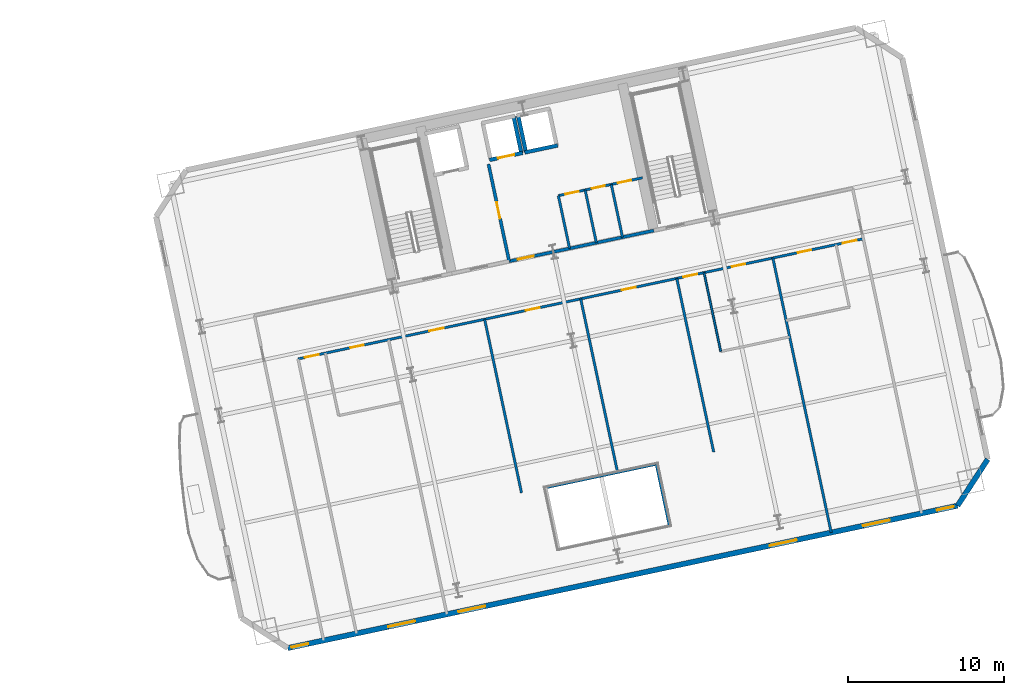
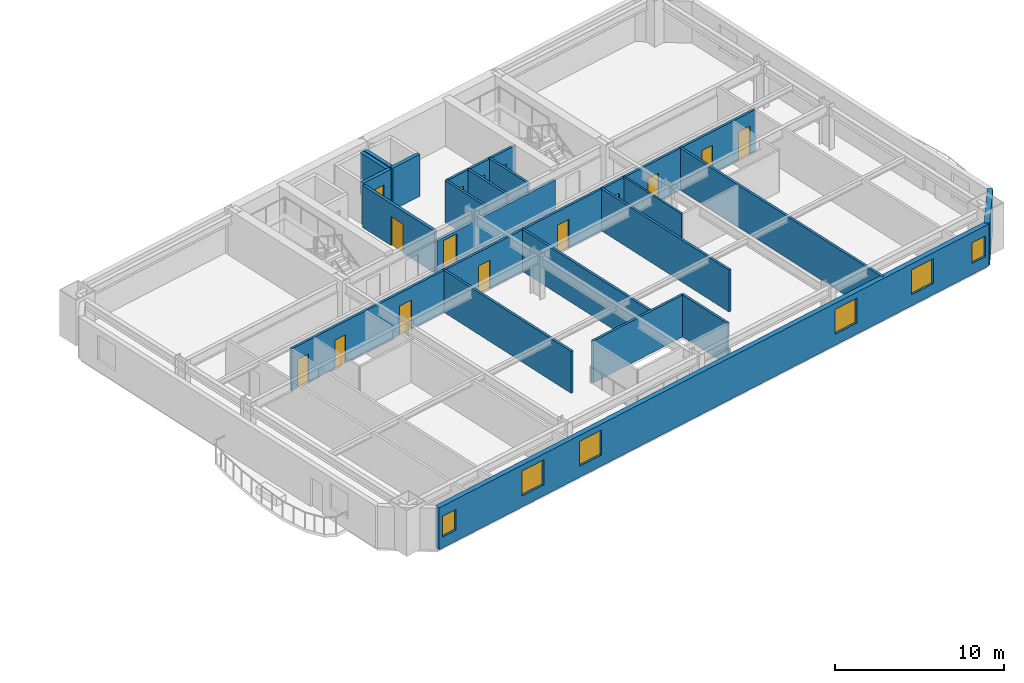
# One storey, part 8 of 16: 20 walls, 15 doors, 6 windows, 21 openings.
"""IFC4 building model written with IfcOpenShell, lengths in metres."""

import ifcopenshell
import ifcopenshell.guid

model = None  # the IFC model being written
_history = None  # IfcOwnerHistory: only IFC2X3 demands one
_inside = {}  # id of a spatial element -> (the spatial element, [elements in it])
_under = {}  # id of a project, library or spatial element -> (it, [spatial elements below it])
_declared = {}  # id of a project -> (the project, [libraries it declares])
_typed = {}  # id of a type object -> (the type object, [elements of that type])
_made_of = {}  # id of a material, layer set ... -> (it, [elements and type objects made of it])


def new_model(schema):
    """Start an empty IFC model of exactly this schema.

    Asked for "IFC4X3", IfcOpenShell would pick the latest addendum, in which some entities
    have other attributes; the version numbers below select the first issue.
    IFC2X3 requires an IfcOwnerHistory on every rooted entity: one is made here for all.
    """
    global model, _history
    if schema == "IFC4X3":
        model = ifcopenshell.file(schema_version=(4, 3, 0, 0))
    else:
        model = ifcopenshell.file(schema=schema)
    _inside.clear()
    _under.clear()
    _declared.clear()
    _typed.clear()
    _made_of.clear()
    _history = None
    if model.schema == "IFC2X3":
        org = make("IfcOrganization", Name="unknown")
        user = make(
            "IfcPersonAndOrganization",
            ThePerson=make("IfcPerson", FamilyName="unknown"),
            TheOrganization=org,
        )
        app = make(
            "IfcApplication",
            ApplicationDeveloper=org,
            Version="unknown",
            ApplicationFullName="unknown",
            ApplicationIdentifier="unknown",
        )
        _history = make(
            "IfcOwnerHistory",
            OwningUser=user,
            OwningApplication=app,
            ChangeAction="ADDED",
            CreationDate=0,
        )
    return model


def make(cls, **values):
    """One entity of the class cls with the attributes given. An attribute that is None is left unset."""
    return model.create_entity(
        cls, **{name: value for name, value in values.items() if value is not None}
    )


def rooted(cls, **values):
    """An entity with a GlobalId (a new one), such as an element, a storey or a relation."""
    return make(cls, GlobalId=ifcopenshell.guid.new(), OwnerHistory=_history, **values)


def si_unit(unit_type, name, prefix=None):
    """IfcSIUnit, for example si_unit("LENGTHUNIT", "METRE", prefix="MILLI")."""
    return make("IfcSIUnit", UnitType=unit_type, Prefix=prefix, Name=name)


def assignment(units):
    """IfcUnitAssignment: the units of a project."""
    return None if units is None else make("IfcUnitAssignment", Units=units)


def point(xyz):
    """IfcCartesianPoint."""
    return None if xyz is None else make("IfcCartesianPoint", Coordinates=xyz)


def direction(xyz):
    """IfcDirection."""
    return None if xyz is None else make("IfcDirection", DirectionRatios=xyz)


def frame(location, z_axis=None, x_axis=None):
    """IfcAxis2Placement3D, a coordinate frame: its origin and axes. An axis left out is left unset."""
    return make(
        "IfcAxis2Placement3D",
        Location=point(location),
        Axis=direction(z_axis),
        RefDirection=direction(x_axis),
    )


def frame_2d(location, x_axis=None):
    """IfcAxis2Placement2D, a coordinate frame in the plane: its origin and x axis."""
    return make(
        "IfcAxis2Placement2D", Location=point(location), RefDirection=direction(x_axis)
    )


def origin():
    """The frame at (0, 0, 0) with its axes left unset."""
    return frame((0.0, 0.0, 0.0))


def place(relative_to, where):
    """IfcLocalPlacement: puts the frame where relative to a parent placement (None: the world)."""
    return make(
        "IfcLocalPlacement", PlacementRelTo=relative_to, RelativePlacement=where
    )


def context(
    kind, dimensions, precision=None, world=None, true_north=None, identifier=None
):
    """IfcGeometricRepresentationContext, for example the 3D "Model" context."""
    return make(
        "IfcGeometricRepresentationContext",
        ContextIdentifier=identifier,
        ContextType=kind,
        CoordinateSpaceDimension=dimensions,
        Precision=precision,
        WorldCoordinateSystem=world,
        TrueNorth=true_north,
    )


def subcontext(parent, identifier, kind, view, scale=None):
    """IfcGeometricRepresentationSubContext, for example "Body" below "Model"."""
    return make(
        "IfcGeometricRepresentationSubContext",
        ContextIdentifier=identifier,
        ContextType=kind,
        ParentContext=parent,
        TargetScale=scale,
        TargetView=view,
    )


def project(units=None, contexts=None):
    """IfcProject with its units and contexts."""
    return rooted(
        "IfcProject",
        Name="project",
        RepresentationContexts=contexts,
        UnitsInContext=assignment(units),
    )


def spatial(cls, under=None, at=None, **own):
    """A site, building, storey or space (cls), placed at a placement, below another one or the project."""
    s = rooted(cls, ObjectPlacement=at, **own)
    if under is not None:
        _under.setdefault(under.id(), (under, []))[1].append(s)
    return s


def profile(cls, at=None, kind="AREA", **sizes):
    """A parametric profile (cls). Its sizes go by their IFC names, for example OverallWidth=200.0."""
    return make(cls, ProfileType=kind, Position=at, **sizes)


def rectangle(**sizes):
    """IfcRectangleProfileDef."""
    return profile("IfcRectangleProfileDef", **sizes)


def extrude(swept, where, along, depth):
    """IfcExtrudedAreaSolid: the profile swept, set in the frame where, extruded along a direction by depth."""
    return make(
        "IfcExtrudedAreaSolid",
        SweptArea=swept,
        Position=where,
        ExtrudedDirection=direction(along),
        Depth=depth,
    )


def shape(context_of_items, identifier, shape_type, items):
    """IfcShapeRepresentation: the items that make up one representation, for example the "Body"."""
    return make(
        "IfcShapeRepresentation",
        ContextOfItems=context_of_items,
        RepresentationIdentifier=identifier,
        RepresentationType=shape_type,
        Items=items,
    )


def material(Name=None, Category=None):
    """IfcMaterial."""
    return make("IfcMaterial", Name=Name, Category=Category)


def layer(
    of_material, thickness, ventilated=None, Name=None, Category=None, Priority=None
):
    """IfcMaterialLayer: one layer of a wall or slab, of a material (None: an air gap)."""
    return make(
        "IfcMaterialLayer",
        Material=of_material,
        LayerThickness=thickness,
        IsVentilated=ventilated,
        Name=Name,
        Category=Category,
        Priority=Priority,
    )


def layer_set(layers, Name=None):
    """IfcMaterialLayerSet."""
    return make("IfcMaterialLayerSet", MaterialLayers=layers, LayerSetName=Name)


def made_of(thing, what):
    """Note that an element or type object is made of a material, layer set ...; save() writes the relation."""
    if what is not None:
        _made_of.setdefault(what.id(), (what, []))[1].append(thing)
    return thing


def type_object(cls, material=None, **own):
    """A type object (cls), such as IfcWallType, which elements share."""
    return made_of(rooted(cls, **own), material)


def element(
    cls,
    number,
    at=None,
    inside=None,
    cuts=None,
    type_object=None,
    material=None,
    context=None,
    identifier="Body",
    shape_type=None,
    held_by="IfcProductDefinitionShape",
    body=None,
    shapes=None,
    **own,
):
    """One element of the class cls, such as IfcWall. Its Tag is "e" and its number.

    at: its placement. inside: the storey or other place that contains it. cuts: it is an
    opening in that element (IfcRelVoidsElement). A single representation is given by context,
    identifier, shape_type and body (its items); several are given by shapes. held_by: the class
    of the entity that holds the representations. save() writes the other relations.
    """
    e = rooted(cls, Tag="e%d" % number, ObjectPlacement=at, **own)
    if body is not None:
        shapes = [shape(context, identifier, shape_type, body)]
    if shapes is not None:
        e.Representation = make(held_by, Representations=shapes)
    if inside is not None:
        _inside.setdefault(inside.id(), (inside, []))[1].append(e)
    if cuts is not None:
        rooted(
            "IfcRelVoidsElement", RelatingBuildingElement=cuts, RelatedOpeningElement=e
        )
    if type_object is not None:
        _typed.setdefault(type_object.id(), (type_object, []))[1].append(e)
    return made_of(e, material)


def fill(opening, filler):
    """IfcRelFillsElement: the door or window that sits in an opening."""
    return rooted(
        "IfcRelFillsElement",
        RelatingOpeningElement=opening,
        RelatedBuildingElement=filler,
    )


def aggregate(whole, parts):
    """IfcRelAggregates: a whole, such as a stair, and the parts it consists of."""
    return rooted("IfcRelAggregates", RelatingObject=whole, RelatedObjects=parts)


def save(model, path):
    """Write the relations noted so far, then the file.

    IfcRelAggregates (storeys below a building ...), IfcRelContainedInSpatialStructure (elements
    in a storey), IfcRelDefinesByType, IfcRelAssociatesMaterial and IfcRelDeclares: one each for
    every whole, place, type object, material and project.
    """
    for whole, parts in _under.values():
        aggregate(whole, parts)
    for where, things in _inside.values():
        rooted(
            "IfcRelContainedInSpatialStructure",
            RelatedElements=things,
            RelatingStructure=where,
        )
    for kind, things in _typed.values():
        rooted("IfcRelDefinesByType", RelatedObjects=things, RelatingType=kind)
    for what, things in _made_of.values():
        rooted("IfcRelAssociatesMaterial", RelatedObjects=things, RelatingMaterial=what)
    for by, libraries in _declared.values():
        rooted("IfcRelDeclares", RelatingContext=by, RelatedDefinitions=libraries)
    model.write(path)


model = new_model("IFC4")

# Units and contexts
model_context = context("Model", 3, precision=1e-05, world=origin(), true_north=direction((0.0, 1.0)))
body_context = subcontext(model_context, "Body", "Model", "MODEL_VIEW")
ifc_project = project(units=[si_unit("LENGTHUNIT", "METRE"), si_unit("AREAUNIT", "SQUARE_METRE"), si_unit("VOLUMEUNIT", "CUBIC_METRE"), si_unit("PLANEANGLEUNIT", "RADIAN"), si_unit("MASSUNIT", "GRAM", prefix="KILO")], contexts=[model_context])

# Site, building, storey
site_placement = place(None, origin())
site = spatial("IfcSite", under=ifc_project, at=site_placement, CompositionType="ELEMENT")
building_placement = place(site_placement, origin())
building = spatial("IfcBuilding", under=site, at=building_placement, Name="Haevon Station Towers", CompositionType="ELEMENT")
storey_placement = place(building_placement, frame((0.0, 0.0, 57.0)))
storey = spatial("IfcBuildingStorey", under=building, at=storey_placement, Name="L14", CompositionType="ELEMENT", Elevation=57.0)

# Wall, opening, door
ifc_material_1 = material(Name="Gypsum board on steel stud", Category="steel")
ifc_layer_1 = layer(ifc_material_1, 0.199951171875)
ifc_layer_set_1 = layer_set([ifc_layer_1], Name="Gypsum board on steel stud")
wall_type_1 = type_object("IfcWallType", Name="WL-COR200", PredefinedType="PARTITIONING", material=ifc_layer_set_1)
wall_1_placement = place(storey_placement, frame((106.186279296875, 39.0224609375, 0.0), z_axis=(0.0, 0.0, 1.0), x_axis=(-0.207916691923, 0.978146537703, 0.0)))
wall_1 = element("IfcWall", 1, at=wall_1_placement, inside=storey, type_object=wall_type_1, Name="WL-T2FFL-L14-E", PredefinedType="PARTITIONING", context=body_context, shape_type="SweptSolid", body=[
    extrude(rectangle(XDim=6.35009765625, YDim=0.199951171875, at=frame_2d((3.175048828125, 0.0))), origin(), (0.0, 0.0, 1.0), 3.030029296875),
])
opening_1_placement = place(wall_1_placement, frame((2.800048828125, 0.0, 0.0)))
opening_1 = element("IfcOpeningElement", 2, at=opening_1_placement, cuts=wall_1, Name="Opening DR-T2FFL-L14-E", PredefinedType="OPENING", context=body_context, shape_type="SweptSolid", body=[
    extrude(rectangle(XDim=1.050048828125, YDim=2.10009765625, at=frame_2d((0.52490234375, 1.050048828125))), frame((0.0, 0.10986328125, 0.0), z_axis=(0.0, -1.0, 0.0), x_axis=(1.0, 0.0, 0.0)), (0.0, 0.0, 1.0), 0.219970703125),
])
ifc_material_2 = material(Name="Engineered oak timber", Category="wood")
door_type_1 = type_object("IfcDoorType", Name="DR-FD60-1050", OperationType="NOTDEFINED", PredefinedType="DOOR", material=ifc_material_2)
door_1_placement = place(opening_1_placement, origin())
door_1 = element("IfcDoor", 3, at=door_1_placement, inside=storey, type_object=door_type_1, Name="L14 Tower 2 Firefighting Lift Lobby Door E", OperationType="SINGLE_SWING_LEFT", OverallHeight=2.10009765625, OverallWidth=1.050048828125, PredefinedType="DOOR", context=body_context, shape_type="SweptSolid", body=[
    extrude(rectangle(XDim=1.050048828125, YDim=2.10009765625, at=frame_2d((0.52490234375, 1.050048828125))), frame((0.0, 0.02490234375, 0.0), z_axis=(0.0, -1.0, 0.0), x_axis=(1.0, 0.0, 0.0)), (0.0, 0.0, 1.0), 0.050048828125),
])
fill(opening_1, door_1)

wall_2_placement = place(storey_placement, frame((106.186279296875, 39.0224609375, 0.0), z_axis=(0.0, 0.0, 1.0), x_axis=(0.978145519981, 0.20792147975, 0.0)))
wall_2 = element("IfcWall", 4, at=wall_2_placement, inside=storey, type_object=wall_type_1, Name="WL-T2CLB-L14", PredefinedType="PARTITIONING", context=body_context, shape_type="SweptSolid", body=[
    extrude(rectangle(XDim=9.449951171875, YDim=0.199951171875, at=frame_2d((4.72509765625, 0.0))), origin(), (0.0, 0.0, 1.0), 2.330078125),
])
opening_2_placement = place(wall_2_placement, frame((0.550048828125, 0.0, 0.0)))
opening_2 = element("IfcOpeningElement", 5, at=opening_2_placement, cuts=wall_2, Name="Opening DR-T2CLB-L14-1", PredefinedType="OPENING", context=body_context, shape_type="SweptSolid", body=[
    extrude(rectangle(XDim=1.050048828125, YDim=2.10009765625, at=frame_2d((0.52490234375, 1.050048828125))), frame((0.0, 0.10986328125, 0.0), z_axis=(0.0, -1.0, 0.0), x_axis=(1.0, 0.0, 0.0)), (0.0, 0.0, 1.0), 0.219970703125),
])
door_2_placement = place(opening_2_placement, origin())
door_2 = element("IfcDoor", 6, at=door_2_placement, inside=storey, type_object=door_type_1, Name="L14 Tower 2 Core Lift Lobby Door 1", OperationType="SINGLE_SWING_LEFT", OverallHeight=2.10009765625, OverallWidth=1.050048828125, PredefinedType="DOOR", context=body_context, shape_type="SweptSolid", body=[
    extrude(rectangle(XDim=1.050048828125, YDim=2.10009765625, at=frame_2d((0.52490234375, 1.050048828125))), frame((0.0, 0.02490234375, 0.0), z_axis=(0.0, -1.0, 0.0), x_axis=(1.0, 0.0, 0.0)), (0.0, 0.0, 1.0), 0.050048828125),
])
fill(opening_2, door_2)

# Wall, openings, windows
ifc_material_3 = material(Name="Precast concrete C45/55", Category="concrete")
ifc_layer_2 = layer(ifc_material_3, 0.340087890625)
ifc_layer_set_2 = layer_set([ifc_layer_2], Name="Precast concrete C45/55")
wall_type_2 = type_object("IfcWallType", Name="WL-EXT-PIER340", PredefinedType="SOLIDWALL", material=ifc_layer_set_2)
wall_3_placement = place(storey_placement, frame((134.862548828125, 23.39306640625, 0.0), z_axis=(0.0, 0.0, 1.0), x_axis=(-0.978148154167, -0.207909087104, 0.0)))
wall_3 = element("IfcWall", 7, at=wall_3_placement, inside=storey, type_object=wall_type_2, Name="WL-T2-L14-S", PredefinedType="SOLIDWALL", context=body_context, shape_type="SweptSolid", body=[
    extrude(rectangle(XDim=43.800048828125, YDim=0.340087890625, at=frame_2d((21.89990234375, 0.0))), origin(), (0.0, 0.0, 1.0), 3.030029296875),
])
opening_3_placement = place(wall_3_placement, frame((42.449951171875, 0.0, 0.800048828125)))
opening_3 = element("IfcOpeningElement", 8, at=opening_3_placement, cuts=wall_3, Name="Opening WN-COR110", PredefinedType="OPENING", context=body_context, shape_type="SweptSolid", body=[
    extrude(rectangle(XDim=1.10009765625, YDim=1.5, at=frame_2d((0.550048828125, 0.75))), frame((0.0, 0.179931640625, 0.0), z_axis=(0.0, -1.0, 0.0), x_axis=(1.0, 0.0, 0.0)), (0.0, 0.0, 1.0), 0.360107421875),
])
opening_4_placement = place(wall_3_placement, frame((0.25, 0.0, 0.800048828125)))
opening_4 = element("IfcOpeningElement", 9, at=opening_4_placement, cuts=wall_3, Name="Opening WN-COR110", PredefinedType="OPENING", context=body_context, shape_type="SweptSolid", body=[
    extrude(rectangle(XDim=1.10009765625, YDim=1.5, at=frame_2d((0.550048828125, 0.75))), frame((0.0, 0.179931640625, 0.0), z_axis=(0.0, -1.0, 0.0), x_axis=(1.0, 0.0, 0.0)), (0.0, 0.0, 1.0), 0.360107421875),
])
opening_5_placement = place(wall_3_placement, frame((35.468994140625, 0.0, 0.800048828125)))
opening_5 = element("IfcOpeningElement", 10, at=opening_5_placement, cuts=wall_3, Name="Opening WN-P175", PredefinedType="OPENING", context=body_context, shape_type="SweptSolid", body=[
    extrude(rectangle(XDim=1.75, YDim=1.800048828125, at=frame_2d((0.875, 0.89990234375))), frame((0.0, 0.179931640625, 0.0), z_axis=(0.0, -1.0, 0.0), x_axis=(1.0, 0.0, 0.0)), (0.0, 0.0, 1.0), 0.360107421875),
])
opening_6_placement = place(wall_3_placement, frame((30.880859375, 0.0, 0.800048828125)))
opening_6 = element("IfcOpeningElement", 11, at=opening_6_placement, cuts=wall_3, Name="Opening WN-P175", PredefinedType="OPENING", context=body_context, shape_type="SweptSolid", body=[
    extrude(rectangle(XDim=1.75, YDim=1.800048828125, at=frame_2d((0.875, 0.89990234375))), frame((0.0, 0.179931640625, 0.0), z_axis=(0.0, -1.0, 0.0), x_axis=(1.0, 0.0, 0.0)), (0.0, 0.0, 1.0), 0.360107421875),
])
opening_7_placement = place(wall_3_placement, frame((10.52783203125, 0.0, 0.800048828125)))
opening_7 = element("IfcOpeningElement", 12, at=opening_7_placement, cuts=wall_3, Name="Opening WN-P175", PredefinedType="OPENING", context=body_context, shape_type="SweptSolid", body=[
    extrude(rectangle(XDim=1.75, YDim=1.800048828125, at=frame_2d((0.875, 0.89990234375))), frame((0.0, 0.179931640625, 0.0), z_axis=(0.0, -1.0, 0.0), x_axis=(1.0, 0.0, 0.0)), (0.0, 0.0, 1.0), 0.360107421875),
])
opening_8_placement = place(wall_3_placement, frame((4.430908203125, 0.0, 0.800048828125)))
opening_8 = element("IfcOpeningElement", 13, at=opening_8_placement, cuts=wall_3, Name="Opening WN-P175", PredefinedType="OPENING", context=body_context, shape_type="SweptSolid", body=[
    extrude(rectangle(XDim=1.75, YDim=1.800048828125, at=frame_2d((0.875, 0.89990234375))), frame((0.0, 0.179931640625, 0.0), z_axis=(0.0, -1.0, 0.0), x_axis=(1.0, 0.0, 0.0)), (0.0, 0.0, 1.0), 0.360107421875),
])
ifc_material_4 = material(Name="Low-E triple glazing in thermally broken aluminium", Category="aluminium")
window_type_1 = type_object("IfcWindowType", Name="WN-COR110", PartitioningType="SINGLE_PANEL", PredefinedType="WINDOW", material=ifc_material_4)
window_1_placement = place(opening_3_placement, origin())
window_1 = element("IfcWindow", 14, at=window_1_placement, inside=storey, type_object=window_type_1, Name="WN-T2-L14-S01", OverallHeight=1.5, OverallWidth=1.10009765625, PartitioningType="SINGLE_PANEL", PredefinedType="WINDOW", context=body_context, shape_type="SweptSolid", body=[
    extrude(rectangle(XDim=1.10009765625, YDim=1.5, at=frame_2d((0.550048828125, 0.75))), frame((0.0, 0.030029296875, 0.0), z_axis=(0.0, -1.0, 0.0), x_axis=(1.0, 0.0, 0.0)), (0.0, 0.0, 1.0), 0.06005859375),
])
fill(opening_3, window_1)
window_2_placement = place(opening_4_placement, origin())
window_2 = element("IfcWindow", 15, at=window_2_placement, inside=storey, type_object=window_type_1, Name="WN-T2-L14-S02", OverallHeight=1.5, OverallWidth=1.10009765625, PartitioningType="SINGLE_PANEL", PredefinedType="WINDOW", context=body_context, shape_type="SweptSolid", body=[
    extrude(rectangle(XDim=1.10009765625, YDim=1.5, at=frame_2d((0.550048828125, 0.75))), frame((0.0, 0.030029296875, 0.0), z_axis=(0.0, -1.0, 0.0), x_axis=(1.0, 0.0, 0.0)), (0.0, 0.0, 1.0), 0.06005859375),
])
fill(opening_4, window_2)
window_type_2 = type_object("IfcWindowType", Name="WN-P175", PartitioningType="SINGLE_PANEL", PredefinedType="WINDOW", material=ifc_material_4)
window_3_placement = place(opening_5_placement, origin())
window_3 = element("IfcWindow", 16, at=window_3_placement, inside=storey, type_object=window_type_2, Name="WN-T2-L14-S03", OverallHeight=1.800048828125, OverallWidth=1.75, PartitioningType="SINGLE_PANEL", PredefinedType="WINDOW", context=body_context, shape_type="SweptSolid", body=[
    extrude(rectangle(XDim=1.75, YDim=1.800048828125, at=frame_2d((0.875, 0.89990234375))), frame((0.0, 0.030029296875, 0.0), z_axis=(0.0, -1.0, 0.0), x_axis=(1.0, 0.0, 0.0)), (0.0, 0.0, 1.0), 0.06005859375),
])
fill(opening_5, window_3)
window_4_placement = place(opening_6_placement, origin())
window_4 = element("IfcWindow", 17, at=window_4_placement, inside=storey, type_object=window_type_2, Name="WN-T2-L14-S04", OverallHeight=1.800048828125, OverallWidth=1.75, PartitioningType="SINGLE_PANEL", PredefinedType="WINDOW", context=body_context, shape_type="SweptSolid", body=[
    extrude(rectangle(XDim=1.75, YDim=1.800048828125, at=frame_2d((0.875, 0.89990234375))), frame((0.0, 0.030029296875, 0.0), z_axis=(0.0, -1.0, 0.0), x_axis=(1.0, 0.0, 0.0)), (0.0, 0.0, 1.0), 0.06005859375),
])
fill(opening_6, window_4)
window_5_placement = place(opening_7_placement, origin())
window_5 = element("IfcWindow", 18, at=window_5_placement, inside=storey, type_object=window_type_2, Name="WN-T2-L14-S05", OverallHeight=1.800048828125, OverallWidth=1.75, PartitioningType="SINGLE_PANEL", PredefinedType="WINDOW", context=body_context, shape_type="SweptSolid", body=[
    extrude(rectangle(XDim=1.75, YDim=1.800048828125, at=frame_2d((0.875, 0.89990234375))), frame((0.0, 0.030029296875, 0.0), z_axis=(0.0, -1.0, 0.0), x_axis=(1.0, 0.0, 0.0)), (0.0, 0.0, 1.0), 0.06005859375),
])
fill(opening_7, window_5)
window_6_placement = place(opening_8_placement, origin())
window_6 = element("IfcWindow", 19, at=window_6_placement, inside=storey, type_object=window_type_2, Name="WN-T2-L14-S06", OverallHeight=1.800048828125, OverallWidth=1.75, PartitioningType="SINGLE_PANEL", PredefinedType="WINDOW", context=body_context, shape_type="SweptSolid", body=[
    extrude(rectangle(XDim=1.75, YDim=1.800048828125, at=frame_2d((0.875, 0.89990234375))), frame((0.0, 0.030029296875, 0.0), z_axis=(0.0, -1.0, 0.0), x_axis=(1.0, 0.0, 0.0)), (0.0, 0.0, 1.0), 0.06005859375),
])
fill(opening_8, window_6)

# Walls
wall_4_placement = place(storey_placement, frame((136.7880859375, 26.358154296875, 0.0), z_axis=(0.0, 0.0, 1.0), x_axis=(-0.544636352948, -0.838672309694, 0.0)))
element("IfcWall", 20, at=wall_4_placement, inside=storey, type_object=wall_type_2, Name="WL-T2-L14-SEC", PredefinedType="SOLIDWALL", context=body_context, shape_type="SweptSolid", body=[
    extrude(rectangle(XDim=3.535400390625, YDim=0.340087890625, at=frame_2d((1.767578125, 0.0))), origin(), (0.0, 0.0, 1.0), 3.030029296875),
])
ifc_layer_3 = layer(ifc_material_1, 0.125)
ifc_layer_set_3 = layer_set([ifc_layer_3], Name="Gypsum board on steel stud")
wall_type_3 = type_object("IfcWallType", Name="WL-PRT125", PredefinedType="PARTITIONING", material=ifc_layer_set_3)
wall_5_placement = place(storey_placement, frame((119.717529296875, 33.25537109375, 0.0), z_axis=(0.0, 0.0, 1.0), x_axis=(-0.207934097981, 0.978142837676, 0.0)))
element("IfcWall", 21, at=wall_5_placement, inside=storey, type_object=wall_type_3, Name="WL-T2PT-L14-19", PredefinedType="PARTITIONING", context=body_context, shape_type="SweptSolid", body=[
    extrude(rectangle(XDim=5.154296875, YDim=0.125, at=frame_2d((2.5771484375, 0.0))), origin(), (0.0, 0.0, 1.0), 3.030029296875),
])
ifc_layer_4 = layer(ifc_material_1, 0.159912109375)
ifc_layer_set_4 = layer_set([ifc_layer_4], Name="Gypsum board on steel stud")
wall_type_4 = type_object("IfcWallType", Name="WL-PRT160", PredefinedType="PARTITIONING", material=ifc_layer_set_4)
for number, where, z_axis, x_axis, name in (
    (22, (110.050048828125, 39.84375, 0.0), (0.0, 0.0, 1.0), (-0.207900225061, 0.978150037785, 0.0), "WL-T2CW-L14-01"),
    (23, (111.76171875, 40.20751953125, 0.0), (0.0, 0.0, 1.0), (-0.207900225061, 0.978150037785, 0.0), "WL-T2CW-L14-02"),
):
    element("IfcWall", number, at=place(storey_placement, frame(where, z_axis=z_axis, x_axis=x_axis)), inside=storey, type_object=wall_type_4, Name=name, PredefinedType="PARTITIONING", context=body_context, shape_type="SweptSolid", body=[
        extrude(rectangle(XDim=3.4501953125, YDim=0.159912109375, at=frame_2d((1.72509765625, 0.0))), origin(), (0.0, 0.0, 1.0), 3.030029296875),
    ])
wall_6_placement = place(storey_placement, frame((113.434326171875, 40.563232421875, 0.0), z_axis=(0.0, 0.0, 1.0), x_axis=(-0.207914616127, 0.978146978935, 0.0)))
element("IfcWall", 24, at=wall_6_placement, inside=storey, type_object=wall_type_4, Name="WL-T2CW-L14-03", PredefinedType="PARTITIONING", context=body_context, shape_type="SweptSolid", body=[
    extrude(rectangle(XDim=3.449951171875, YDim=0.159912109375, at=frame_2d((1.72509765625, 0.0))), origin(), (0.0, 0.0, 1.0), 3.030029296875),
])

# Wall, openings, doors
wall_7_placement = place(storey_placement, frame((109.332763671875, 43.218505859375, 0.0), z_axis=(0.0, 0.0, 1.0), x_axis=(0.978153773776, 0.207882646816, 0.0)))
wall_7 = element("IfcWall", 25, at=wall_7_placement, inside=storey, type_object=wall_type_4, Name="WL-T2CW-L14-04", PredefinedType="PARTITIONING", context=body_context, shape_type="SweptSolid", body=[
    extrude(rectangle(XDim=5.499755859375, YDim=0.159912109375, at=frame_2d((2.75, 0.0))), origin(), (0.0, 0.0, 1.0), 3.030029296875),
])
opening_9_placement = place(wall_7_placement, frame((0.469970703125, 0.0, 0.0)))
opening_9 = element("IfcOpeningElement", 26, at=opening_9_placement, cuts=wall_7, Name="Opening DR-WL-T2CW-L14-04-1", PredefinedType="OPENING", context=body_context, shape_type="SweptSolid", body=[
    extrude(rectangle(XDim=0.85009765625, YDim=2.050048828125, at=frame_2d((0.425048828125, 1.02490234375))), frame((0.0, 0.08984375, 0.0), z_axis=(0.0, -1.0, 0.0), x_axis=(1.0, 0.0, 0.0)), (0.0, 0.0, 1.0), 0.179931640625),
])
opening_10_placement = place(wall_7_placement, frame((2.179931640625, 0.0, 0.0)))
opening_10 = element("IfcOpeningElement", 27, at=opening_10_placement, cuts=wall_7, Name="Opening DR-WL-T2CW-L14-04-2", PredefinedType="OPENING", context=body_context, shape_type="SweptSolid", body=[
    extrude(rectangle(XDim=0.85009765625, YDim=2.050048828125, at=frame_2d((0.425048828125, 1.02490234375))), frame((0.0, 0.08984375, 0.0), z_axis=(0.0, -1.0, 0.0), x_axis=(1.0, 0.0, 0.0)), (0.0, 0.0, 1.0), 0.179931640625),
])
opening_11_placement = place(wall_7_placement, frame((3.89501953125, 0.0, 0.0)))
opening_11 = element("IfcOpeningElement", 28, at=opening_11_placement, cuts=wall_7, Name="Opening DR-WL-T2CW-L14-04-3", PredefinedType="OPENING", context=body_context, shape_type="SweptSolid", body=[
    extrude(rectangle(XDim=0.85009765625, YDim=2.050048828125, at=frame_2d((0.425048828125, 1.02490234375))), frame((0.0, 0.08984375, 0.0), z_axis=(0.0, -1.0, 0.0), x_axis=(1.0, 0.0, 0.0)), (0.0, 0.0, 1.0), 0.179931640625),
])
door_type_2 = type_object("IfcDoorType", Name="DR-FD30-850", OperationType="NOTDEFINED", PredefinedType="DOOR", material=ifc_material_2)
door_3_placement = place(opening_9_placement, origin())
door_3 = element("IfcDoor", 29, at=door_3_placement, inside=storey, type_object=door_type_2, Name="L14 Tower 2 Core Room Door 4-1", OperationType="SINGLE_SWING_LEFT", OverallHeight=2.050048828125, OverallWidth=0.85009765625, PredefinedType="DOOR", context=body_context, shape_type="SweptSolid", body=[
    extrude(rectangle(XDim=0.85009765625, YDim=2.050048828125, at=frame_2d((0.425048828125, 1.02490234375))), frame((0.0, 0.02490234375, 0.0), z_axis=(0.0, -1.0, 0.0), x_axis=(1.0, 0.0, 0.0)), (0.0, 0.0, 1.0), 0.050048828125),
])
fill(opening_9, door_3)
door_4_placement = place(opening_10_placement, origin())
door_4 = element("IfcDoor", 30, at=door_4_placement, inside=storey, type_object=door_type_2, Name="L14 Tower 2 Core Room Door 4-2", OperationType="SINGLE_SWING_RIGHT", OverallHeight=2.050048828125, OverallWidth=0.85009765625, PredefinedType="DOOR", context=body_context, shape_type="SweptSolid", body=[
    extrude(rectangle(XDim=0.85009765625, YDim=2.050048828125, at=frame_2d((0.425048828125, 1.02490234375))), frame((0.0, 0.02490234375, 0.0), z_axis=(0.0, -1.0, 0.0), x_axis=(1.0, 0.0, 0.0)), (0.0, 0.0, 1.0), 0.050048828125),
])
fill(opening_10, door_4)
door_5_placement = place(opening_11_placement, origin())
door_5 = element("IfcDoor", 31, at=door_5_placement, inside=storey, type_object=door_type_2, Name="L14 Tower 2 Core Room Door 4-3", OperationType="SINGLE_SWING_LEFT", OverallHeight=2.050048828125, OverallWidth=0.85009765625, PredefinedType="DOOR", context=body_context, shape_type="SweptSolid", body=[
    extrude(rectangle(XDim=0.85009765625, YDim=2.050048828125, at=frame_2d((0.425048828125, 1.02490234375))), frame((0.0, 0.02490234375, 0.0), z_axis=(0.0, -1.0, 0.0), x_axis=(1.0, 0.0, 0.0)), (0.0, 0.0, 1.0), 0.050048828125),
])
fill(opening_11, door_5)

# Walls
wall_8_placement = place(storey_placement, frame((108.54736328125, 24.547119140625, 0.0), z_axis=(0.0, 0.0, 1.0), x_axis=(0.978144974276, 0.207924046946, 0.0)))
element("IfcWall", 32, at=wall_8_placement, inside=storey, type_object=wall_type_4, Name="WL-T2PT-L14-07", PredefinedType="PARTITIONING", context=body_context, shape_type="SweptSolid", body=[
    extrude(rectangle(XDim=7.2001953125, YDim=0.159912109375, at=frame_2d((3.60009765625, 0.0))), origin(), (0.0, 0.0, 1.0), 3.030029296875),
])
wall_9_placement = place(storey_placement, frame((116.421875, 22.131591796875, 0.0), z_axis=(0.0, 0.0, 1.0), x_axis=(-0.207944891454, 0.978140543132, 0.0)))
element("IfcWall", 33, at=wall_9_placement, inside=storey, type_object=wall_type_4, Name="WL-T2PT-L14-09", PredefinedType="PARTITIONING", context=body_context, shape_type="SweptSolid", body=[
    extrude(rectangle(XDim=4.0, YDim=0.159912109375, at=frame_2d((2.0, 0.0))), origin(), (0.0, 0.0, 1.0), 3.030029296875),
])
for number, where, z_axis, x_axis, name in (
    (34, (106.97607421875, 24.213134765625, 0.0), (0.0, 0.0, 1.0), (-0.20791586684, 0.978146713084, 0.0), "WL-T2PT-L14-13"),
    (35, (113.120361328125, 25.51904296875, 0.0), (0.0, 0.0, 1.0), (-0.20791586684, 0.978146713084, 0.0), "WL-T2PT-L14-14"),
):
    element("IfcWall", number, at=place(storey_placement, frame(where, z_axis=z_axis, x_axis=x_axis)), inside=storey, type_object=wall_type_4, Name=name, PredefinedType="PARTITIONING", context=body_context, shape_type="SweptSolid", body=[
        extrude(rectangle(XDim=11.35009765625, YDim=0.159912109375, at=frame_2d((5.675048828125, 0.0))), origin(), (0.0, 0.0, 1.0), 3.030029296875),
    ])
wall_10_placement = place(storey_placement, frame((119.2646484375, 26.8251953125, 0.0), z_axis=(0.0, 0.0, 1.0), x_axis=(-0.20792024147, 0.978145783197, 0.0)))
element("IfcWall", 36, at=wall_10_placement, inside=storey, type_object=wall_type_4, Name="WL-T2PT-L14-16", PredefinedType="PARTITIONING", context=body_context, shape_type="SweptSolid", body=[
    extrude(rectangle(XDim=11.349853515625, YDim=0.159912109375, at=frame_2d((5.6748046875, 0.0))), origin(), (0.0, 0.0, 1.0), 3.030029296875),
])
wall_11_placement = place(storey_placement, frame((126.781005859375, 21.67529296875, 0.0), z_axis=(0.0, 0.0, 1.0), x_axis=(-0.207906091967, 0.978148790789, 0.0)))
element("IfcWall", 37, at=wall_11_placement, inside=storey, type_object=wall_type_4, Name="WL-T2PT-L14-20", PredefinedType="PARTITIONING", context=body_context, shape_type="SweptSolid", body=[
    extrude(rectangle(XDim=17.9501953125, YDim=0.159912109375, at=frame_2d((8.97509765625, 0.0))), origin(), (0.0, 0.0, 1.0), 3.030029296875),
])

# Wall, openings, doors
wall_12_placement = place(storey_placement, frame((92.689208984375, 32.780029296875, 0.0), z_axis=(0.0, 0.0, 1.0), x_axis=(0.97814877431, 0.207906169498, 0.0)))
wall_12 = element("IfcWall", 38, at=wall_12_placement, inside=storey, type_object=wall_type_4, Name="WL-T2PT-L14-23", PredefinedType="PARTITIONING", context=body_context, shape_type="SweptSolid", body=[
    extrude(rectangle(XDim=36.949951171875, YDim=0.159912109375, at=frame_2d((18.47509765625, 0.0))), origin(), (0.0, 0.0, 1.0), 3.030029296875),
])
opening_12_placement = place(wall_12_placement, frame((3.4208984375, 0.0, 0.0)))
opening_12 = element("IfcOpeningElement", 39, at=opening_12_placement, cuts=wall_12, Name="Opening DR-WL-T2PT-L14-23-01", PredefinedType="OPENING", context=body_context, shape_type="SweptSolid", body=[
    extrude(rectangle(XDim=0.85009765625, YDim=2.050048828125, at=frame_2d((0.425048828125, 1.02490234375))), frame((0.0, 0.08984375, 0.0), z_axis=(0.0, -1.0, 0.0), x_axis=(1.0, 0.0, 0.0)), (0.0, 0.0, 1.0), 0.179931640625),
])
opening_13_placement = place(wall_12_placement, frame((0.43994140625, 0.0, 0.0)))
opening_13 = element("IfcOpeningElement", 40, at=opening_13_placement, cuts=wall_12, Name="Opening DR-WL-T2PT-L14-23-02", PredefinedType="OPENING", context=body_context, shape_type="SweptSolid", body=[
    extrude(rectangle(XDim=0.89990234375, YDim=2.050048828125, at=frame_2d((0.449951171875, 1.02490234375))), frame((0.0, 0.08984375, 0.0), z_axis=(0.0, -1.0, 0.0), x_axis=(1.0, 0.0, 0.0)), (0.0, 0.0, 1.0), 0.179931640625),
])
opening_14_placement = place(wall_12_placement, frame((8.577880859375, 0.0, 0.0)))
opening_14 = element("IfcOpeningElement", 41, at=opening_14_placement, cuts=wall_12, Name="Opening DR-WL-T2PT-L14-23-03", PredefinedType="OPENING", context=body_context, shape_type="SweptSolid", body=[
    extrude(rectangle(XDim=0.949951171875, YDim=2.10009765625, at=frame_2d((0.47509765625, 1.050048828125))), frame((0.0, 0.08984375, 0.0), z_axis=(0.0, -1.0, 0.0), x_axis=(1.0, 0.0, 0.0)), (0.0, 0.0, 1.0), 0.179931640625),
])
opening_15_placement = place(wall_12_placement, frame((14.884033203125, 0.0, 0.0)))
opening_15 = element("IfcOpeningElement", 42, at=opening_15_placement, cuts=wall_12, Name="Opening DR-WL-T2PT-L14-23-04", PredefinedType="OPENING", context=body_context, shape_type="SweptSolid", body=[
    extrude(rectangle(XDim=0.89990234375, YDim=2.050048828125, at=frame_2d((0.449951171875, 1.02490234375))), frame((0.0, 0.08984375, 0.0), z_axis=(0.0, -1.0, 0.0), x_axis=(1.0, 0.0, 0.0)), (0.0, 0.0, 1.0), 0.179931640625),
])
opening_16_placement = place(wall_12_placement, frame((21.166015625, 0.0, 0.0)))
opening_16 = element("IfcOpeningElement", 43, at=opening_16_placement, cuts=wall_12, Name="Opening DR-WL-T2PT-L14-23-05", PredefinedType="OPENING", context=body_context, shape_type="SweptSolid", body=[
    extrude(rectangle(XDim=0.89990234375, YDim=2.050048828125, at=frame_2d((0.449951171875, 1.02490234375))), frame((0.0, 0.08984375, 0.0), z_axis=(0.0, -1.0, 0.0), x_axis=(1.0, 0.0, 0.0)), (0.0, 0.0, 1.0), 0.179931640625),
])
opening_17_placement = place(wall_12_placement, frame((28.362060546875, 0.0, 0.0)))
opening_17 = element("IfcOpeningElement", 44, at=opening_17_placement, cuts=wall_12, Name="Opening DR-WL-T2PT-L14-23-06", PredefinedType="OPENING", context=body_context, shape_type="SweptSolid", body=[
    extrude(rectangle(XDim=0.85009765625, YDim=2.050048828125, at=frame_2d((0.425048828125, 1.02490234375))), frame((0.0, 0.08984375, 0.0), z_axis=(0.0, -1.0, 0.0), x_axis=(1.0, 0.0, 0.0)), (0.0, 0.0, 1.0), 0.179931640625),
])
opening_18_placement = place(wall_12_placement, frame((25.196044921875, 0.0, 0.0)))
opening_18 = element("IfcOpeningElement", 45, at=opening_18_placement, cuts=wall_12, Name="Opening DR-WL-T2PT-L14-23-07", PredefinedType="OPENING", context=body_context, shape_type="SweptSolid", body=[
    extrude(rectangle(XDim=0.89990234375, YDim=2.050048828125, at=frame_2d((0.449951171875, 1.02490234375))), frame((0.0, 0.08984375, 0.0), z_axis=(0.0, -1.0, 0.0), x_axis=(1.0, 0.0, 0.0)), (0.0, 0.0, 1.0), 0.179931640625),
])
opening_19_placement = place(wall_12_placement, frame((32.678955078125, 0.0, 0.0)))
opening_19 = element("IfcOpeningElement", 46, at=opening_19_placement, cuts=wall_12, Name="Opening DR-WL-T2PT-L14-23-08", PredefinedType="OPENING", context=body_context, shape_type="SweptSolid", body=[
    extrude(rectangle(XDim=0.85009765625, YDim=2.050048828125, at=frame_2d((0.425048828125, 1.02490234375))), frame((0.0, 0.08984375, 0.0), z_axis=(0.0, -1.0, 0.0), x_axis=(1.0, 0.0, 0.0)), (0.0, 0.0, 1.0), 0.179931640625),
])
opening_20_placement = place(wall_12_placement, frame((35.610107421875, 0.0, 0.0)))
opening_20 = element("IfcOpeningElement", 47, at=opening_20_placement, cuts=wall_12, Name="Opening DR-WL-T2PT-L14-23-09", PredefinedType="OPENING", context=body_context, shape_type="SweptSolid", body=[
    extrude(rectangle(XDim=0.89990234375, YDim=2.050048828125, at=frame_2d((0.449951171875, 1.02490234375))), frame((0.0, 0.08984375, 0.0), z_axis=(0.0, -1.0, 0.0), x_axis=(1.0, 0.0, 0.0)), (0.0, 0.0, 1.0), 0.179931640625),
])
door_6_placement = place(opening_12_placement, origin())
door_6 = element("IfcDoor", 48, at=door_6_placement, inside=storey, type_object=door_type_2, Name="L14 Tower 2 Room Door 23-1", OperationType="SINGLE_SWING_RIGHT", OverallHeight=2.050048828125, OverallWidth=0.85009765625, PredefinedType="DOOR", context=body_context, shape_type="SweptSolid", body=[
    extrude(rectangle(XDim=0.85009765625, YDim=2.050048828125, at=frame_2d((0.425048828125, 1.02490234375))), frame((0.0, 0.02490234375, 0.0), z_axis=(0.0, -1.0, 0.0), x_axis=(1.0, 0.0, 0.0)), (0.0, 0.0, 1.0), 0.050048828125),
])
fill(opening_12, door_6)
door_7_placement = place(opening_17_placement, origin())
door_7 = element("IfcDoor", 49, at=door_7_placement, inside=storey, type_object=door_type_2, Name="L14 Tower 2 Room Door 23-6", OperationType="SINGLE_SWING_LEFT", OverallHeight=2.050048828125, OverallWidth=0.85009765625, PredefinedType="DOOR", context=body_context, shape_type="SweptSolid", body=[
    extrude(rectangle(XDim=0.85009765625, YDim=2.050048828125, at=frame_2d((0.425048828125, 1.02490234375))), frame((0.0, 0.02490234375, 0.0), z_axis=(0.0, -1.0, 0.0), x_axis=(1.0, 0.0, 0.0)), (0.0, 0.0, 1.0), 0.050048828125),
])
fill(opening_17, door_7)
door_8_placement = place(opening_19_placement, origin())
door_8 = element("IfcDoor", 50, at=door_8_placement, inside=storey, type_object=door_type_2, Name="L14 Tower 2 Room Door 23-8", OperationType="SINGLE_SWING_LEFT", OverallHeight=2.050048828125, OverallWidth=0.85009765625, PredefinedType="DOOR", context=body_context, shape_type="SweptSolid", body=[
    extrude(rectangle(XDim=0.85009765625, YDim=2.050048828125, at=frame_2d((0.425048828125, 1.02490234375))), frame((0.0, 0.02490234375, 0.0), z_axis=(0.0, -1.0, 0.0), x_axis=(1.0, 0.0, 0.0)), (0.0, 0.0, 1.0), 0.050048828125),
])
fill(opening_19, door_8)
door_type_3 = type_object("IfcDoorType", Name="DR-FD30-950", OperationType="NOTDEFINED", PredefinedType="DOOR", material=ifc_material_2)
door_9_placement = place(opening_14_placement, origin())
door_9 = element("IfcDoor", 51, at=door_9_placement, inside=storey, type_object=door_type_3, Name="L14 Tower 2 Room Door 23-3", OperationType="SINGLE_SWING_RIGHT", OverallHeight=2.10009765625, OverallWidth=0.949951171875, PredefinedType="DOOR", context=body_context, shape_type="SweptSolid", body=[
    extrude(rectangle(XDim=0.949951171875, YDim=2.10009765625, at=frame_2d((0.47509765625, 1.050048828125))), frame((0.0, 0.02490234375, 0.0), z_axis=(0.0, -1.0, 0.0), x_axis=(1.0, 0.0, 0.0)), (0.0, 0.0, 1.0), 0.050048828125),
])
fill(opening_14, door_9)
door_type_4 = type_object("IfcDoorType", Name="DR-INT-900", OperationType="NOTDEFINED", PredefinedType="DOOR", material=ifc_material_2)
door_10_placement = place(opening_13_placement, origin())
door_10 = element("IfcDoor", 52, at=door_10_placement, inside=storey, type_object=door_type_4, Name="L14 Tower 2 Room Door 23-2", OperationType="SINGLE_SWING_LEFT", OverallHeight=2.050048828125, OverallWidth=0.89990234375, PredefinedType="DOOR", context=body_context, shape_type="SweptSolid", body=[
    extrude(rectangle(XDim=0.89990234375, YDim=2.050048828125, at=frame_2d((0.449951171875, 1.02490234375))), frame((0.0, 0.02490234375, 0.0), z_axis=(0.0, -1.0, 0.0), x_axis=(1.0, 0.0, 0.0)), (0.0, 0.0, 1.0), 0.050048828125),
])
fill(opening_13, door_10)
door_11_placement = place(opening_15_placement, origin())
door_11 = element("IfcDoor", 53, at=door_11_placement, inside=storey, type_object=door_type_4, Name="L14 Tower 2 Room Door 23-4", OperationType="SINGLE_SWING_LEFT", OverallHeight=2.050048828125, OverallWidth=0.89990234375, PredefinedType="DOOR", context=body_context, shape_type="SweptSolid", body=[
    extrude(rectangle(XDim=0.89990234375, YDim=2.050048828125, at=frame_2d((0.449951171875, 1.02490234375))), frame((0.0, 0.02490234375, 0.0), z_axis=(0.0, -1.0, 0.0), x_axis=(1.0, 0.0, 0.0)), (0.0, 0.0, 1.0), 0.050048828125),
])
fill(opening_15, door_11)
door_12_placement = place(opening_16_placement, origin())
door_12 = element("IfcDoor", 54, at=door_12_placement, inside=storey, type_object=door_type_4, Name="L14 Tower 2 Room Door 23-5", OperationType="SINGLE_SWING_RIGHT", OverallHeight=2.050048828125, OverallWidth=0.89990234375, PredefinedType="DOOR", context=body_context, shape_type="SweptSolid", body=[
    extrude(rectangle(XDim=0.89990234375, YDim=2.050048828125, at=frame_2d((0.449951171875, 1.02490234375))), frame((0.0, 0.02490234375, 0.0), z_axis=(0.0, -1.0, 0.0), x_axis=(1.0, 0.0, 0.0)), (0.0, 0.0, 1.0), 0.050048828125),
])
fill(opening_16, door_12)
door_13_placement = place(opening_18_placement, origin())
door_13 = element("IfcDoor", 55, at=door_13_placement, inside=storey, type_object=door_type_4, Name="L14 Tower 2 Room Door 23-7", OperationType="SINGLE_SWING_RIGHT", OverallHeight=2.050048828125, OverallWidth=0.89990234375, PredefinedType="DOOR", context=body_context, shape_type="SweptSolid", body=[
    extrude(rectangle(XDim=0.89990234375, YDim=2.050048828125, at=frame_2d((0.449951171875, 1.02490234375))), frame((0.0, 0.02490234375, 0.0), z_axis=(0.0, -1.0, 0.0), x_axis=(1.0, 0.0, 0.0)), (0.0, 0.0, 1.0), 0.050048828125),
])
fill(opening_18, door_13)
door_14_placement = place(opening_20_placement, origin())
door_14 = element("IfcDoor", 56, at=door_14_placement, inside=storey, type_object=door_type_4, Name="L14 Tower 2 Room Door 23-9", OperationType="SINGLE_SWING_RIGHT", OverallHeight=2.050048828125, OverallWidth=0.89990234375, PredefinedType="DOOR", context=body_context, shape_type="SweptSolid", body=[
    extrude(rectangle(XDim=0.89990234375, YDim=2.050048828125, at=frame_2d((0.449951171875, 1.02490234375))), frame((0.0, 0.02490234375, 0.0), z_axis=(0.0, -1.0, 0.0), x_axis=(1.0, 0.0, 0.0)), (0.0, 0.0, 1.0), 0.050048828125),
])
fill(opening_20, door_14)

# Wall, opening, door
ifc_material_5 = material(Name="Concrete C40/50", Category="concrete")
ifc_layer_5 = layer(ifc_material_5, 0.239990234375)
ifc_layer_set_5 = layer_set([ifc_layer_5], Name="Concrete C40/50")
wall_type_5 = type_object("IfcWallType", Name="WL-SHF240", PredefinedType="PARTITIONING", material=ifc_layer_set_5)
wall_13_placement = place(storey_placement, frame((104.931396484375, 45.503173828125, 0.0), z_axis=(0.0, 0.0, 1.0), x_axis=(0.97813528961, 0.207969601673, 0.0)))
wall_13 = element("IfcWall", 57, at=wall_13_placement, inside=storey, type_object=wall_type_5, Name="WL-SHF-PL7-L14", PredefinedType="PARTITIONING", context=body_context, shape_type="SweptSolid", body=[
    extrude(rectangle(XDim=2.159912109375, YDim=0.239990234375, at=frame_2d((1.080078125, 0.0))), origin(), (0.0, 0.0, 1.0), 3.030029296875),
])
opening_21_placement = place(wall_13_placement, frame((0.554931640625, 0.0, 0.0)))
opening_21 = element("IfcOpeningElement", 58, at=opening_21_placement, cuts=wall_13, Name="Opening LD-PL7-L14", PredefinedType="OPENING", context=body_context, shape_type="SweptSolid", body=[
    extrude(rectangle(XDim=1.050048828125, YDim=2.14990234375, at=frame_2d((0.52490234375, 1.074951171875))), frame((0.0, 0.1298828125, 0.0), z_axis=(0.0, -1.0, 0.0), x_axis=(1.0, 0.0, 0.0)), (0.0, 0.0, 1.0), 0.260009765625),
])
ifc_material_6 = material(Name="Stainless steel and rated core", Category="steel")
door_type_5 = type_object("IfcDoorType", Name="LD-PL1050", OperationType="SLIDING_TO_LEFT", PredefinedType="DOOR", material=ifc_material_6)
door_15_placement = place(opening_21_placement, origin())
door_15 = element("IfcDoor", 59, at=door_15_placement, inside=storey, type_object=door_type_5, Name="L14 Lift PL7 Sliding Landing Door", OperationType="SLIDING_TO_LEFT", OverallHeight=2.14990234375, OverallWidth=1.050048828125, PredefinedType="DOOR", context=body_context, shape_type="SweptSolid", body=[
    extrude(rectangle(XDim=1.050048828125, YDim=2.14990234375, at=frame_2d((0.52490234375, 1.074951171875))), frame((0.0, 0.02490234375, 0.0), z_axis=(0.0, -1.0, 0.0), x_axis=(1.0, 0.0, 0.0)), (0.0, 0.0, 1.0), 0.050048828125),
])
fill(opening_21, door_15)

# Walls
wall_14_placement = place(storey_placement, frame((106.966064453125, 45.935791015625, 0.0), z_axis=(0.0, 0.0, 1.0), x_axis=(-0.207937840262, 0.978142042133, 0.0)))
element("IfcWall", 60, at=wall_14_placement, inside=storey, type_object=wall_type_5, Name="WL-SHF-PL7-L14-E", PredefinedType="PARTITIONING", context=body_context, shape_type="SweptSolid", body=[
    extrude(rectangle(XDim=2.39990234375, YDim=0.239990234375, at=frame_2d((1.199951171875, 0.0))), origin(), (0.0, 0.0, 1.0), 3.030029296875),
])
wall_15_placement = place(storey_placement, frame((107.18115234375, 45.9814453125, 0.0), z_axis=(0.0, 0.0, 1.0), x_axis=(0.97813528961, 0.207969601673, 0.0)))
element("IfcWall", 61, at=wall_15_placement, inside=storey, type_object=wall_type_5, Name="WL-SHF-PL8-L14", PredefinedType="PARTITIONING", context=body_context, shape_type="SweptSolid", body=[
    extrude(rectangle(XDim=2.159912109375, YDim=0.239990234375, at=frame_2d((1.080078125, 0.0))), origin(), (0.0, 0.0, 1.0), 3.030029296875),
])
wall_16_placement = place(storey_placement, frame((107.259521484375, 45.998046875, 0.0), z_axis=(0.0, 0.0, 1.0), x_axis=(-0.207917150959, 0.978146440129, 0.0)))
element("IfcWall", 62, at=wall_16_placement, inside=storey, type_object=wall_type_5, Name="WL-SHF-PL8-L14-W", PredefinedType="PARTITIONING", context=body_context, shape_type="SweptSolid", body=[
    extrude(rectangle(XDim=2.400146484375, YDim=0.239990234375, at=frame_2d((1.2001953125, 0.0))), origin(), (0.0, 0.0, 1.0), 3.030029296875),
])

save(model, "model.ifc")
